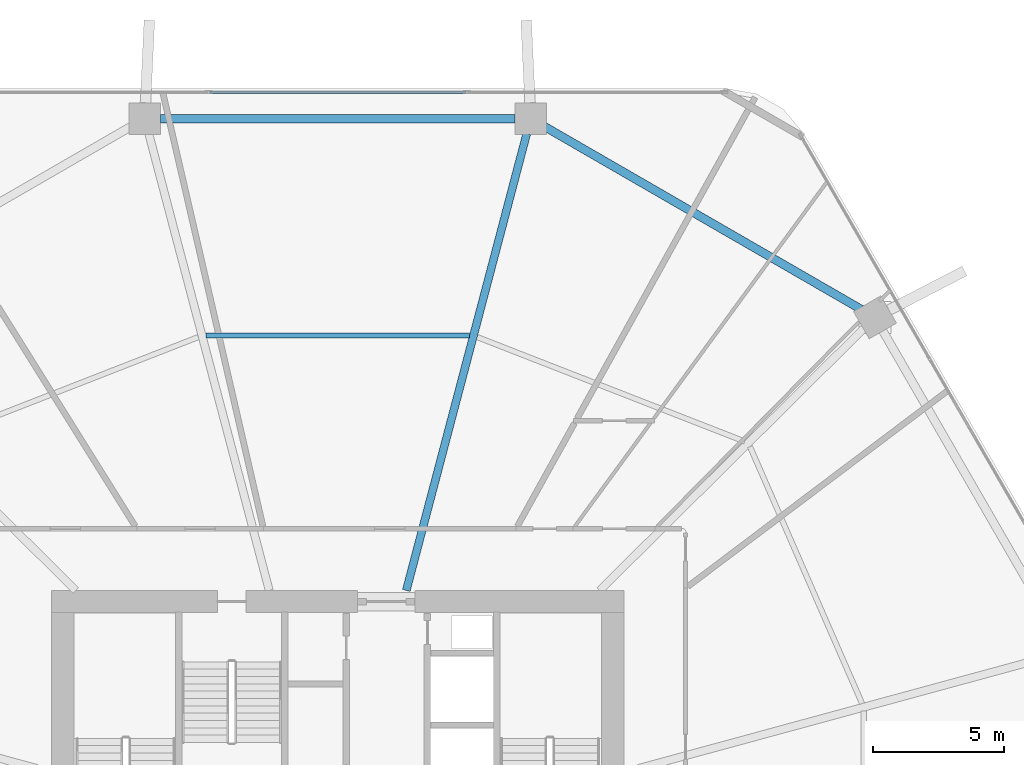
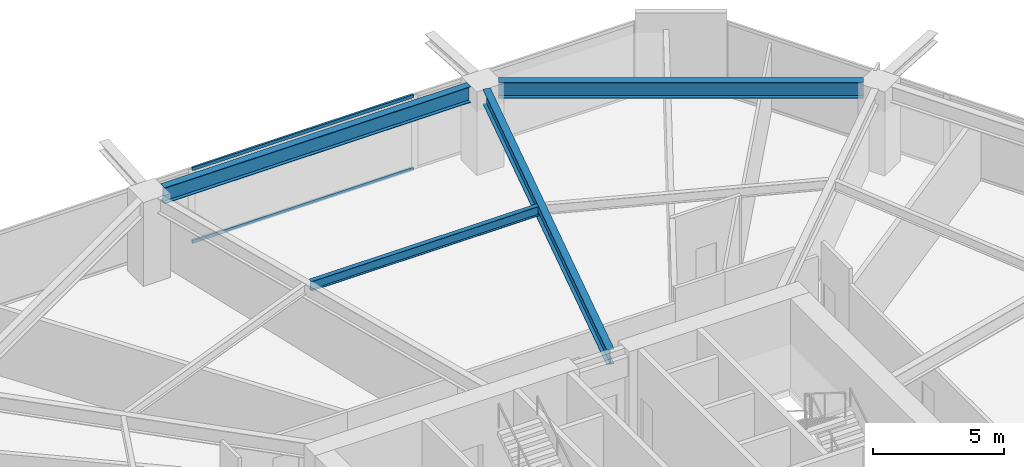
# One storey, part 18 of 26: 4 beams, 2 members, 1 element without a shape of its own.
"""IFC4 building model written with IfcOpenShell, lengths in metres."""

from ifc_helpers import new_model, si_unit, direction, frame, origin, origin_2d, place, context, subcontext, project, spatial, hollow_rectangle, i_section, extrude, material, material_profile, profile_set, type_object, element, aggregate, save


model = new_model("IFC4")

# Units and contexts
model_context = context("Model", 3, precision=1e-05, world=origin(), true_north=direction((0.0, 1.0)))
body_context = subcontext(model_context, "Body", "Model", "MODEL_VIEW")
ifc_project = project(units=[si_unit("LENGTHUNIT", "METRE"), si_unit("AREAUNIT", "SQUARE_METRE"), si_unit("VOLUMEUNIT", "CUBIC_METRE"), si_unit("PLANEANGLEUNIT", "RADIAN"), si_unit("MASSUNIT", "GRAM", prefix="KILO")], contexts=[model_context])

# Site, building, storey
site_placement = place(None, origin())
site = spatial("IfcSite", under=ifc_project, at=site_placement, CompositionType="ELEMENT")
building_placement = place(site_placement, origin())
building = spatial("IfcBuilding", under=site, at=building_placement, Name="Zuhravey Tower", CompositionType="ELEMENT")
storey_placement = place(building_placement, frame((0.0, 0.0, 28.800048828125)))
storey = spatial("IfcBuildingStorey", under=building, at=storey_placement, Name="L07", CompositionType="ELEMENT", Elevation=28.800048828125)

# Curtain wall, members
ifc_material_1 = material(Name="Thermally broken anodised aluminium", Category="aluminium")
curtain_wall_type = type_object("IfcCurtainWallType", Name="School Low-E Unitised Curtain Wall CW1", PredefinedType="NOTDEFINED", material=ifc_material_1)
curtain_wall_placement = place(storey_placement, origin())
curtain_wall = element("IfcCurtainWall", 1, at=curtain_wall_placement, inside=storey, type_object=curtain_wall_type, Name="L07 CW1 CW-L07-F2-1", PredefinedType="NOTDEFINED")
ifc_material_2 = material(Name="Anodised aluminium", Category="aluminium")
ifc_material_profile_1 = material_profile(ifc_material_2, hollow_rectangle(XDim=0.090087890625, YDim=0.14990234375, WallThickness=0.0048828125, at=origin_2d()), Name="ALU-RHS-90x150x5")
ifc_profile_set_1 = profile_set([ifc_material_profile_1], Name="Anodised aluminium")
member_type = type_object("IfcMemberType", Name="Curtain-Wall Transom 90x150", PredefinedType="USERDEFINED", material=ifc_profile_set_1)
member_1_placement = place(storey_placement, frame((31.11181640625, 60.95849609375, 0.044921875), z_axis=(1.0, 0.0, 0.0), x_axis=(0.0, 1.0, 0.0)))
member_1 = element("IfcMember", 2, at=member_1_placement, type_object=member_type, Name="CW1 transom 2.1", ObjectType="TRANSOM", PredefinedType="USERDEFINED", context=body_context, shape_type="SweptSolid", body=[
    extrude(hollow_rectangle(XDim=0.090087890625, YDim=0.14990234375, WallThickness=0.0048828125, at=origin_2d()), origin(), (0.0, 0.0, 1.0), 9.7763671875),
])
member_2_placement = place(storey_placement, frame((31.11181640625, 60.95849609375, 3.447021484375), z_axis=(1.0, 0.0, 0.0), x_axis=(0.0, 1.0, 0.0)))
member_2 = element("IfcMember", 3, at=member_2_placement, type_object=member_type, Name="CW1 transom 2.2", ObjectType="TRANSOM", PredefinedType="USERDEFINED", context=body_context, shape_type="SweptSolid", body=[
    extrude(hollow_rectangle(XDim=0.090087890625, YDim=0.14990234375, WallThickness=0.0048828125, at=origin_2d()), origin(), (0.0, 0.0, 1.0), 9.7763671875),
])
aggregate(curtain_wall, [member_1, member_2])

# Beams
ifc_material_3 = material(Name="Steel SM355", Category="steel")
ifc_material_profile_2 = material_profile(ifc_material_3, i_section(OverallWidth=0.320068359375, OverallDepth=0.75, WebThickness=0.013916015625, FlangeThickness=0.02490234375, at=origin_2d()), Name="H-750x320x14x25")
ifc_profile_set_2 = profile_set([ifc_material_profile_2], Name="Steel SM355")
beam_type_1 = type_object("IfcBeamType", Name="Perimeter Ring Beam H750x320", PredefinedType="BEAM", material=ifc_profile_set_2)
beam_1_placement = place(storey_placement, frame((55.996826171875, 52.658447265625, 3.544921875), z_axis=(-0.866029969761, 0.499992091414, 0.0), x_axis=(-0.499992091414, -0.866029969761, 0.0)))
element("IfcBeam", 4, at=beam_1_placement, inside=storey, type_object=beam_type_1, Name="L07 PB1 BM-L07-PB-02", PredefinedType="BEAM", context=body_context, shape_type="SweptSolid", body=[
    extrude(i_section(OverallWidth=0.320068359375, OverallDepth=0.75, WebThickness=0.013916015625, FlangeThickness=0.02490234375, at=origin_2d()), origin(), (0.0, 0.0, 1.0), 13.977294921875),
])
beam_2_placement = place(storey_placement, frame((42.76708984375, 59.948486328125, 3.544921875), z_axis=(-1.0, 0.0, 0.0), x_axis=(0.0, -1.0, 0.0)))
element("IfcBeam", 5, at=beam_2_placement, inside=storey, type_object=beam_type_1, Name="L07 PB1 BM-L07-PB-03", PredefinedType="BEAM", context=body_context, shape_type="SweptSolid", body=[
    extrude(i_section(OverallWidth=0.320068359375, OverallDepth=0.75, WebThickness=0.013916015625, FlangeThickness=0.02490234375, at=origin_2d()), origin(), (0.0, 0.0, 1.0), 13.5341796875),
])
ifc_material_profile_3 = material_profile(ifc_material_3, i_section(OverallWidth=0.300048828125, OverallDepth=0.699951171875, WebThickness=0.012939453125, FlangeThickness=0.02392578125, at=origin_2d()), Name="H-700x300x13x24")
ifc_profile_set_3 = profile_set([ifc_material_profile_3], Name="Steel SM355")
beam_type_2 = type_object("IfcBeamType", Name="Radial Primary Girder H700x300", PredefinedType="BEAM", material=ifc_profile_set_3)
beam_3_placement = place(storey_placement, frame((38.617919921875, 41.927978515625, 3.570068359375), z_axis=(0.254989720435, 0.966943763862, 0.0), x_axis=(-0.966943763862, 0.254989720435, 0.0)))
element("IfcBeam", 6, at=beam_3_placement, inside=storey, type_object=beam_type_2, Name="L07 RG1 BM-L07-RAD-03", PredefinedType="BEAM", context=body_context, shape_type="SweptSolid", body=[
    extrude(i_section(OverallWidth=0.300048828125, OverallDepth=0.699951171875, WebThickness=0.012939453125, FlangeThickness=0.02392578125, at=origin_2d()), origin(), (0.0, 0.0, 1.0), 18.03369140625),
])
ifc_material_profile_4 = material_profile(ifc_material_3, i_section(OverallWidth=0.199951171875, OverallDepth=0.449951171875, WebThickness=0.009033203125, FlangeThickness=0.013916015625, at=origin_2d()), Name="H-450x200x9x14")
ifc_profile_set_4 = profile_set([ifc_material_profile_4], Name="Steel SM355")
beam_type_3 = type_object("IfcBeamType", Name="Secondary Floor Joist H450x200", PredefinedType="JOIST", material=ifc_profile_set_4)
beam_4_placement = place(storey_placement, frame((41.030029296875, 51.6591796875, 3.695068359375), z_axis=(-1.0, 0.0, 0.0), x_axis=(0.0, -1.0, 0.0)))
element("IfcBeam", 7, at=beam_4_placement, inside=storey, type_object=beam_type_3, Name="L07 SJ1 BM-L07-SJ-03-1", PredefinedType="JOIST", context=body_context, shape_type="SweptSolid", body=[
    extrude(i_section(OverallWidth=0.199951171875, OverallDepth=0.449951171875, WebThickness=0.009033203125, FlangeThickness=0.013916015625, at=origin_2d()), origin(), (0.0, 0.0, 1.0), 10.06005859375),
])

save(model, "model.ifc")
